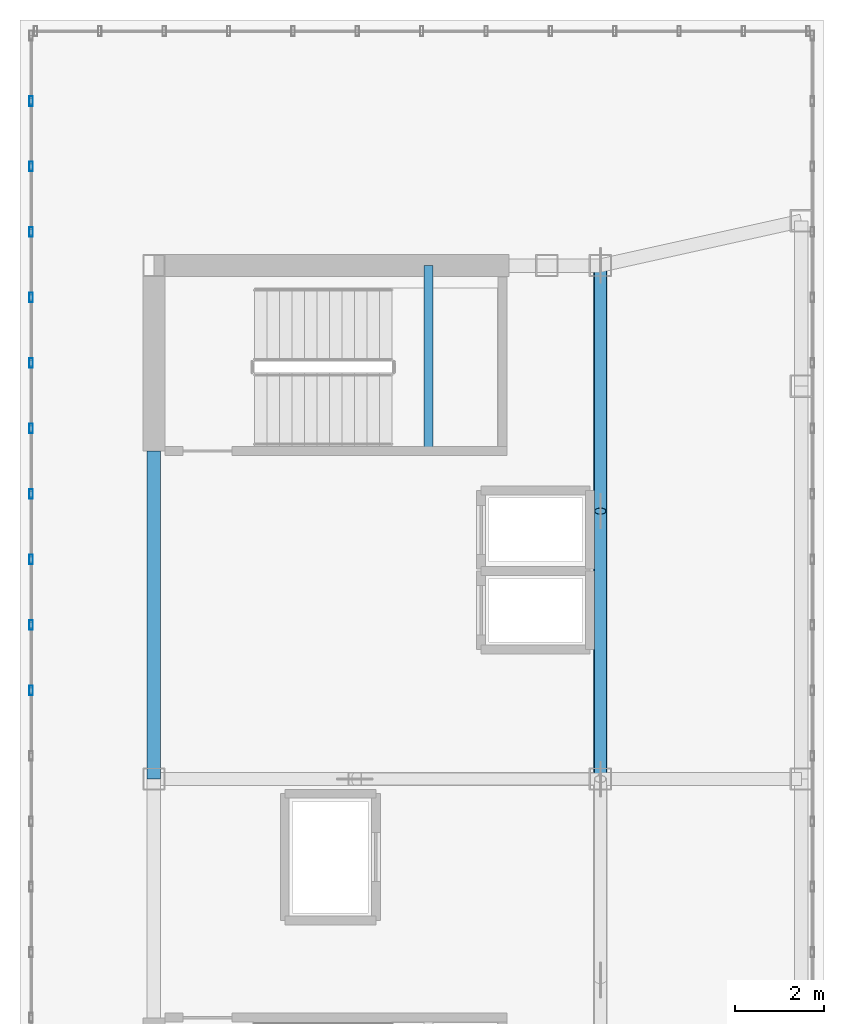
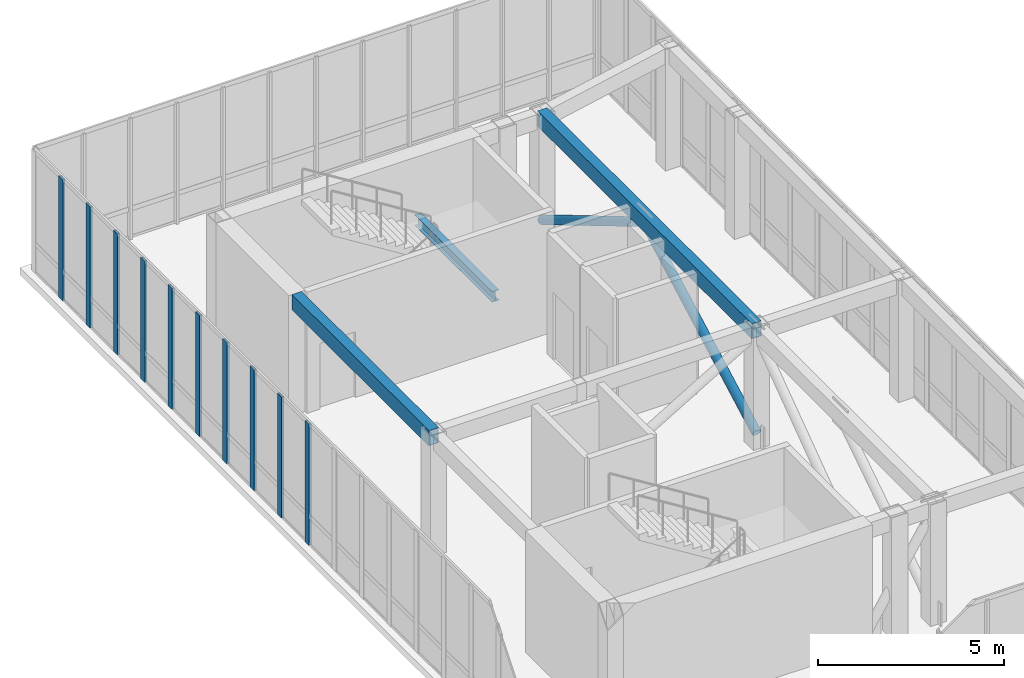
# One storey, part 8 of 13: 12 members, 3 beams, 1 element without a shape of its own.
"""IFC4 building model written with IfcOpenShell, lengths in metres."""

from ifc_helpers import new_model, si_unit, direction, frame, origin, origin_2d, place, context, subcontext, project, spatial, hollow_rectangle, hollow_circle, i_section, extrude, source, transform, mapped, material, layer, layer_set, material_profile, profile_set, type_object, element, aggregate, save


model = new_model("IFC4")

# Units and contexts
model_context = context("Model", 3, precision=1e-05, world=origin(), true_north=direction((0.0, 1.0)))
body_context = subcontext(model_context, "Body", "Model", "MODEL_VIEW")
ifc_project = project(units=[si_unit("LENGTHUNIT", "METRE"), si_unit("AREAUNIT", "SQUARE_METRE"), si_unit("VOLUMEUNIT", "CUBIC_METRE"), si_unit("PLANEANGLEUNIT", "RADIAN"), si_unit("MASSUNIT", "GRAM", prefix="KILO")], contexts=[model_context])

# Site, building, storey
site_placement = place(None, origin())
site = spatial("IfcSite", under=ifc_project, at=site_placement, CompositionType="ELEMENT")
building_placement = place(site_placement, origin())
building = spatial("IfcBuilding", under=site, at=building_placement, Name="Kharzan Plaza Tower", CompositionType="ELEMENT")
storey_placement = place(building_placement, frame((0.0, 0.0, 277.199951171875)))
storey = spatial("IfcBuildingStorey", under=building, at=storey_placement, Name="L75-CROWN", CompositionType="ELEMENT", Elevation=277.199951171875)

# Beams
ifc_material_1 = material(Name="Steel S355", Category="steel")
ifc_material_profile_1 = material_profile(ifc_material_1, i_section(OverallWidth=0.205078125, OverallDepth=0.35400390625, WebThickness=0.009521484375, FlangeThickness=0.016845703125, at=origin_2d()), Name="W360x79")
ifc_profile_set_1 = profile_set([ifc_material_profile_1], Name="Steel S355")
beam_type_1 = type_object("IfcBeamType", Name="BM-LNT360", PredefinedType="LINTEL", material=ifc_profile_set_1)
shared_shape_1 = source(origin(), body_context, "Body", "SweptSolid", [
    extrude(i_section(OverallWidth=0.205078125, OverallDepth=0.35400390625, WebThickness=0.009521484375, FlangeThickness=0.016845703125, at=origin_2d()), origin(), (0.0, 0.0, 1.0), 4.155029296875),
])
beam_1_placement = place(storey_placement, frame((10.64990234375, 25.344970703125, 1.72314453125), z_axis=(0.0, 1.0, 0.0), x_axis=(-1.0, 0.0, 0.0)))
element("IfcBeam", 1, at=beam_1_placement, inside=storey, type_object=beam_type_1, Name="L75-CROWN Stair ST-2 Half-Landing Beam", PredefinedType="LINTEL", context=body_context, shape_type="MappedRepresentation", body=[
    mapped(shared_shape_1, transform((0.0, 0.0, 0.0), x_axis=(1.0, 0.0, 0.0), y_axis=(0.0, 1.0, 0.0), z_axis=(0.0, 0.0, 1.0))),
])
ifc_material_profile_2 = material_profile(ifc_material_1, hollow_rectangle(XDim=0.300048828125, YDim=0.5, WallThickness=0.02001953125, at=origin_2d()), Name="RHS500x300x20")
ifc_profile_set_2 = profile_set([ifc_material_profile_2], Name="Steel S355")
beam_type_2 = type_object("IfcBeamType", Name="BM-CRN500", PredefinedType="BEAM", material=ifc_profile_set_2)
shared_shape_2 = source(origin(), body_context, "Body", "SweptSolid", [
    extrude(hollow_rectangle(XDim=0.300048828125, YDim=0.5, WallThickness=0.02001953125, at=origin_2d()), origin(), (0.0, 0.0, 1.0), 11.5),
])
beam_2_placement = place(storey_placement, frame((14.5, 18.0, 3.719970703125), z_axis=(0.0, 1.0, 0.0), x_axis=(-1.0, 0.0, 0.0)))
element("IfcBeam", 2, at=beam_2_placement, inside=storey, type_object=beam_type_2, Name="L75-CROWN CROWN FRAME Lantern Ring Beam CRB-M2", PredefinedType="BEAM", context=body_context, shape_type="MappedRepresentation", body=[
    mapped(shared_shape_2, transform((0.0, 0.0, 0.0), x_axis=(1.0, 0.0, 0.0), y_axis=(0.0, 1.0, 0.0), z_axis=(0.0, 0.0, 1.0))),
])
shared_shape_3 = source(origin(), body_context, "Body", "SweptSolid", [
    extrude(hollow_rectangle(XDim=0.300048828125, YDim=0.5, WallThickness=0.02001953125, at=origin_2d()), origin(), (0.0, 0.0, 1.0), 7.35009765625),
])
beam_3_placement = place(storey_placement, frame((4.5, 18.0, 3.719970703125), z_axis=(0.0, 1.0, 0.0), x_axis=(-1.0, 0.0, 0.0)))
element("IfcBeam", 3, at=beam_3_placement, inside=storey, type_object=beam_type_2, Name="L75-CROWN CROWN FRAME Lantern Ring Beam CRB-W2", PredefinedType="BEAM", context=body_context, shape_type="MappedRepresentation", body=[
    mapped(shared_shape_3, transform((0.0, 0.0, 0.0), x_axis=(1.0, 0.0, 0.0), y_axis=(0.0, 1.0, 0.0), z_axis=(0.0, 0.0, 1.0))),
])

# Members
ifc_material_profile_3 = material_profile(ifc_material_1, hollow_circle(Radius=0.136474609375, WallThickness=0.010009765625, at=origin_2d()), Name="CHS273x10")
ifc_profile_set_3 = profile_set([ifc_material_profile_3], Name="Steel S355")
member_type_1 = type_object("IfcMemberType", Name="MEM-CRN-DIAG", PredefinedType="BRACE", material=ifc_profile_set_3)
shared_shape_4 = source(origin(), body_context, "Body", "SweptSolid", [
    extrude(hollow_circle(Radius=0.136474609375, WallThickness=0.010009765625, at=origin_2d()), origin(), (0.0, 0.0, 1.0), 6.833251953125),
])
member_1_placement = place(storey_placement, frame((14.5, 18.0, 0.35009765625), z_axis=(0.0, 0.878062100793, 0.478546703207), x_axis=(-1.0, 0.0, 0.0)))
element("IfcMember", 4, at=member_1_placement, inside=storey, type_object=member_type_1, Name="L75-CROWN CROWN FRAME Diagonal Wind Brace CRD-E1", PredefinedType="BRACE", context=body_context, shape_type="MappedRepresentation", body=[
    mapped(shared_shape_4, transform((0.0, 0.0, 0.0), x_axis=(1.0, 0.0, 0.0), y_axis=(0.0, 1.0, 0.0), z_axis=(0.0, 0.0, 1.0))),
])
shared_shape_5 = source(origin(), body_context, "Body", "SweptSolid", [
    extrude(hollow_circle(Radius=0.136474609375, WallThickness=0.010009765625, at=origin_2d()), origin(), (0.0, 0.0, 1.0), 6.398681640625),
])
member_2_placement = place(storey_placement, frame((14.5, 29.5, 0.35009765625), z_axis=(0.0, -0.859553101499, 0.511046441827), x_axis=(1.0, 0.0, 0.0)))
element("IfcMember", 5, at=member_2_placement, inside=storey, type_object=member_type_1, Name="L75-CROWN CROWN FRAME Diagonal Wind Brace CRD-N1", PredefinedType="BRACE", context=body_context, shape_type="MappedRepresentation", body=[
    mapped(shared_shape_5, transform((0.0, 0.0, 0.0), x_axis=(1.0, 0.0, 0.0), y_axis=(0.0, 1.0, 0.0), z_axis=(0.0, 0.0, 1.0))),
])

# Curtain wall, members
ifc_material_2 = material(Name="Unitised Bronze-Anodized Aluminium and Low-E Glass", Category="aluminium")
ifc_layer = layer(ifc_material_2, 0.199951171875)
ifc_layer_set = layer_set([ifc_layer], Name="Unitised Bronze-Anodized Aluminium and Low-E Glass")
curtain_wall_type = type_object("IfcCurtainWallType", Name="CW-LANTERN-6", PredefinedType="NOTDEFINED", material=ifc_layer_set)
curtain_wall_placement = place(storey_placement, origin())
curtain_wall = element("IfcCurtainWall", 6, at=curtain_wall_placement, inside=storey, type_object=curtain_wall_type, Name="L75-CROWN Lantern Crown Illuminated Curtain Wall 4", PredefinedType="NOTDEFINED")
ifc_material_3 = material(Name="Anodized Bronze Aluminium", Category="aluminium")
ifc_material_profile_4 = material_profile(ifc_material_3, hollow_rectangle(XDim=0.074951171875, YDim=0.219970703125, WallThickness=0.00390625, at=origin_2d()), Name="ALU-M220x75x4")
ifc_profile_set_4 = profile_set([ifc_material_profile_4], Name="Anodized Bronze Aluminium")
member_type_2 = type_object("IfcMemberType", Name="MEM-CW-MUL200", PredefinedType="MULLION", material=ifc_profile_set_4)
shared_shape_6 = source(origin(), body_context, "Body", "SweptSolid", [
    extrude(hollow_rectangle(XDim=0.074951171875, YDim=0.219970703125, WallThickness=0.00390625, at=origin_2d()), origin(), (0.0, 0.0, 1.0), 3.969970703125),
])
member_3_placement = place(storey_placement, frame((1.75, 33.183349609375, 0.0), z_axis=(0.0, 0.0, 1.0), x_axis=(1.0, 0.0, 0.0)))
member_3 = element("IfcMember", 7, at=member_3_placement, type_object=member_type_2, Name="L75-CROWN Curtain-Wall Mullion 01", PredefinedType="MULLION", context=body_context, shape_type="MappedRepresentation", body=[
    mapped(shared_shape_6, transform((0.0, 0.0, 0.0), x_axis=(1.0, 0.0, 0.0), y_axis=(0.0, 1.0, 0.0), z_axis=(0.0, 0.0, 1.0))),
])
member_4_placement = place(storey_placement, frame((1.75, 31.716796875, 0.0), z_axis=(0.0, 0.0, 1.0), x_axis=(1.0, 0.0, 0.0)))
member_4 = element("IfcMember", 8, at=member_4_placement, type_object=member_type_2, Name="L75-CROWN Curtain-Wall Mullion 02", PredefinedType="MULLION", context=body_context, shape_type="MappedRepresentation", body=[
    mapped(shared_shape_6, transform((0.0, 0.0, 0.0), x_axis=(1.0, 0.0, 0.0), y_axis=(0.0, 1.0, 0.0), z_axis=(0.0, 0.0, 1.0))),
])
member_5_placement = place(storey_placement, frame((1.75, 30.25, 0.0), z_axis=(0.0, 0.0, 1.0), x_axis=(1.0, 0.0, 0.0)))
member_5 = element("IfcMember", 9, at=member_5_placement, type_object=member_type_2, Name="L75-CROWN Curtain-Wall Mullion 03", PredefinedType="MULLION", context=body_context, shape_type="MappedRepresentation", body=[
    mapped(shared_shape_6, transform((0.0, 0.0, 0.0), x_axis=(1.0, 0.0, 0.0), y_axis=(0.0, 1.0, 0.0), z_axis=(0.0, 0.0, 1.0))),
])
member_6_placement = place(storey_placement, frame((1.75, 28.783203125, 0.0), z_axis=(0.0, 0.0, 1.0), x_axis=(1.0, 0.0, 0.0)))
member_6 = element("IfcMember", 10, at=member_6_placement, type_object=member_type_2, Name="L75-CROWN Curtain-Wall Mullion 04", PredefinedType="MULLION", context=body_context, shape_type="MappedRepresentation", body=[
    mapped(shared_shape_6, transform((0.0, 0.0, 0.0), x_axis=(1.0, 0.0, 0.0), y_axis=(0.0, 1.0, 0.0), z_axis=(0.0, 0.0, 1.0))),
])
member_7_placement = place(storey_placement, frame((1.75, 27.316650390625, 0.0), z_axis=(0.0, 0.0, 1.0), x_axis=(1.0, 0.0, 0.0)))
member_7 = element("IfcMember", 11, at=member_7_placement, type_object=member_type_2, Name="L75-CROWN Curtain-Wall Mullion 05", PredefinedType="MULLION", context=body_context, shape_type="MappedRepresentation", body=[
    mapped(shared_shape_6, transform((0.0, 0.0, 0.0), x_axis=(1.0, 0.0, 0.0), y_axis=(0.0, 1.0, 0.0), z_axis=(0.0, 0.0, 1.0))),
])
member_8_placement = place(storey_placement, frame((1.75, 25.85009765625, 0.0), z_axis=(0.0, 0.0, 1.0), x_axis=(1.0, 0.0, 0.0)))
member_8 = element("IfcMember", 12, at=member_8_placement, type_object=member_type_2, Name="L75-CROWN Curtain-Wall Mullion 06", PredefinedType="MULLION", context=body_context, shape_type="MappedRepresentation", body=[
    mapped(shared_shape_6, transform((0.0, 0.0, 0.0), x_axis=(1.0, 0.0, 0.0), y_axis=(0.0, 1.0, 0.0), z_axis=(0.0, 0.0, 1.0))),
])
member_9_placement = place(storey_placement, frame((1.75, 24.38330078125, 0.0), z_axis=(0.0, 0.0, 1.0), x_axis=(1.0, 0.0, 0.0)))
member_9 = element("IfcMember", 13, at=member_9_placement, type_object=member_type_2, Name="L75-CROWN Curtain-Wall Mullion 07", PredefinedType="MULLION", context=body_context, shape_type="MappedRepresentation", body=[
    mapped(shared_shape_6, transform((0.0, 0.0, 0.0), x_axis=(1.0, 0.0, 0.0), y_axis=(0.0, 1.0, 0.0), z_axis=(0.0, 0.0, 1.0))),
])
member_10_placement = place(storey_placement, frame((1.75, 22.916748046875, 0.0), z_axis=(0.0, 0.0, 1.0), x_axis=(1.0, 0.0, 0.0)))
member_10 = element("IfcMember", 14, at=member_10_placement, type_object=member_type_2, Name="L75-CROWN Curtain-Wall Mullion 08", PredefinedType="MULLION", context=body_context, shape_type="MappedRepresentation", body=[
    mapped(shared_shape_6, transform((0.0, 0.0, 0.0), x_axis=(1.0, 0.0, 0.0), y_axis=(0.0, 1.0, 0.0), z_axis=(0.0, 0.0, 1.0))),
])
member_11_placement = place(storey_placement, frame((1.75, 21.449951171875, 0.0), z_axis=(0.0, 0.0, 1.0), x_axis=(1.0, 0.0, 0.0)))
member_11 = element("IfcMember", 15, at=member_11_placement, type_object=member_type_2, Name="L75-CROWN Curtain-Wall Mullion 09", PredefinedType="MULLION", context=body_context, shape_type="MappedRepresentation", body=[
    mapped(shared_shape_6, transform((0.0, 0.0, 0.0), x_axis=(1.0, 0.0, 0.0), y_axis=(0.0, 1.0, 0.0), z_axis=(0.0, 0.0, 1.0))),
])
member_12_placement = place(storey_placement, frame((1.75, 19.9833984375, 0.0), z_axis=(0.0, 0.0, 1.0), x_axis=(1.0, 0.0, 0.0)))
member_12 = element("IfcMember", 16, at=member_12_placement, type_object=member_type_2, Name="L75-CROWN Curtain-Wall Mullion 10", PredefinedType="MULLION", context=body_context, shape_type="MappedRepresentation", body=[
    mapped(shared_shape_6, transform((0.0, 0.0, 0.0), x_axis=(1.0, 0.0, 0.0), y_axis=(0.0, 1.0, 0.0), z_axis=(0.0, 0.0, 1.0))),
])
aggregate(curtain_wall, [member_3, member_4, member_5, member_6, member_7, member_8, member_9, member_10, member_11, member_12])

save(model, "model.ifc")
